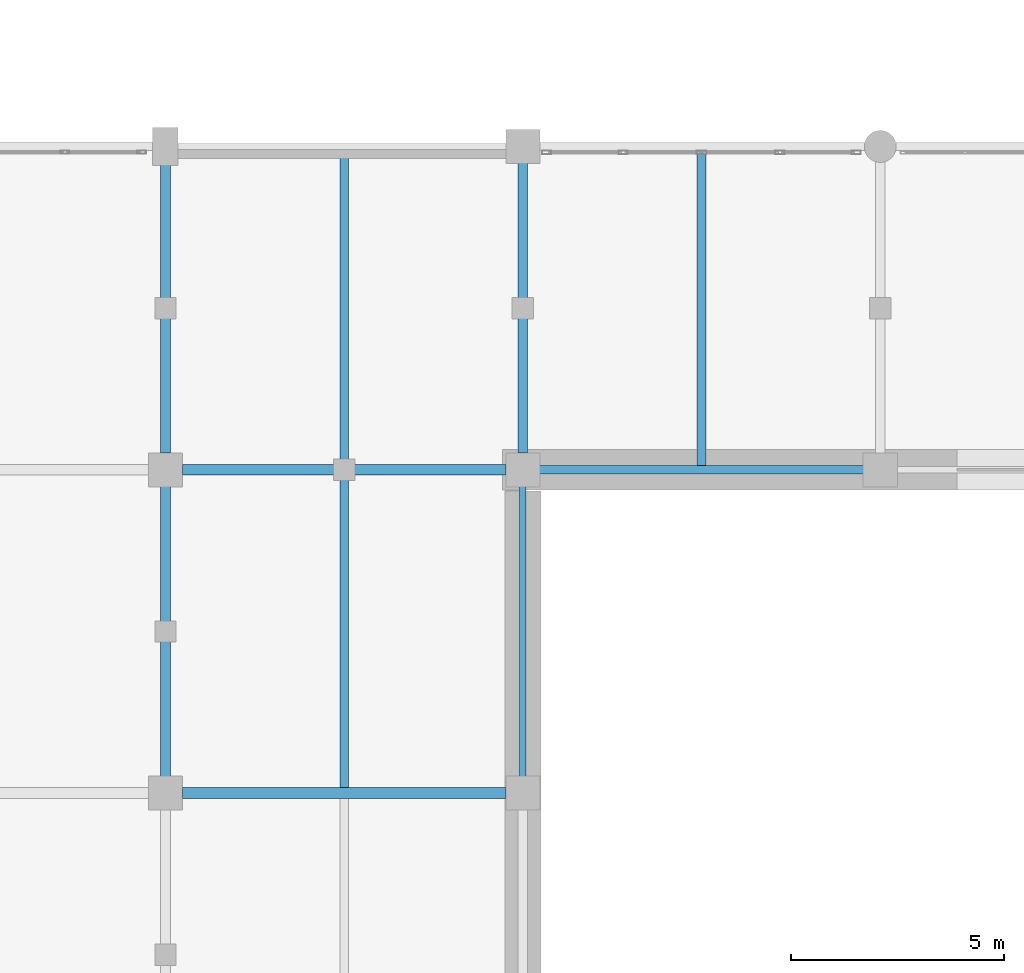
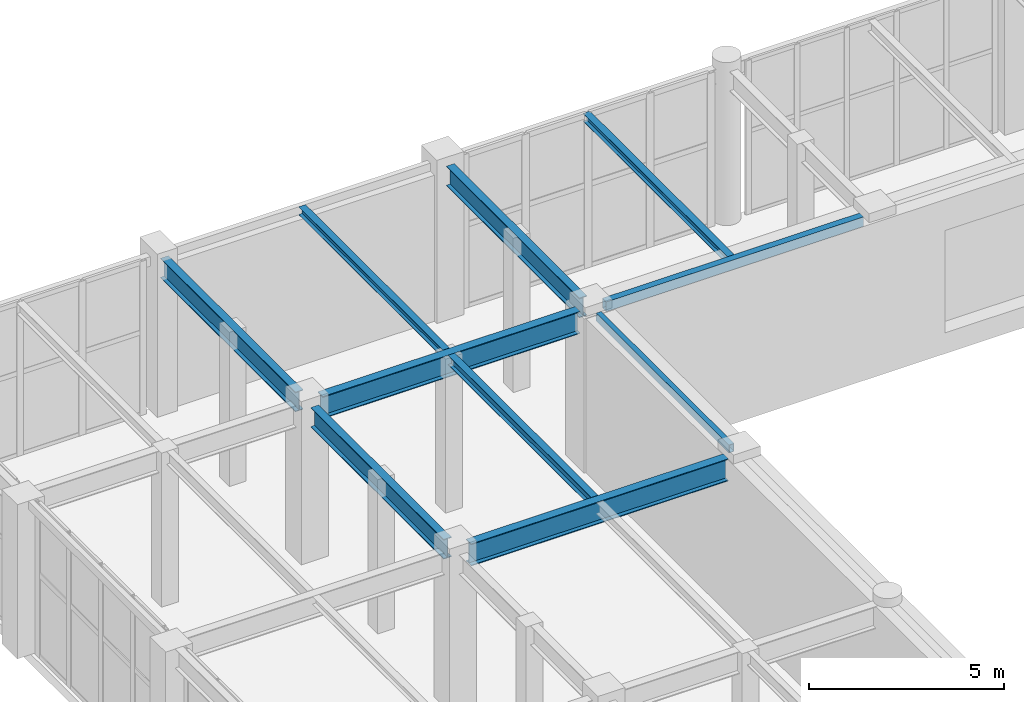
# One storey, part 60 of 128: 10 beams.
"""IFC4 building model written with IfcOpenShell, lengths in metres."""

from ifc_helpers import new_model, si_unit, direction, frame, origin, origin_2d, place, context, subcontext, project, spatial, hollow_rectangle, i_section, extrude, material, material_profile, profile_set, type_object, element, save


model = new_model("IFC4")

# Units and contexts
model_context = context("Model", 3, precision=1e-05, world=origin(), true_north=direction((0.0, 1.0)))
body_context = subcontext(model_context, "Body", "Model", "MODEL_VIEW")
ifc_project = project(units=[si_unit("LENGTHUNIT", "METRE"), si_unit("AREAUNIT", "SQUARE_METRE"), si_unit("VOLUMEUNIT", "CUBIC_METRE"), si_unit("PLANEANGLEUNIT", "RADIAN"), si_unit("MASSUNIT", "GRAM", prefix="KILO")], contexts=[model_context])

# Site, building, storey
site_placement = place(None, origin())
site = spatial("IfcSite", under=ifc_project, at=site_placement, CompositionType="ELEMENT")
building_placement = place(site_placement, origin())
building = spatial("IfcBuilding", under=site, at=building_placement, Name="Xicomal Pleat Aquarium", CompositionType="ELEMENT")
storey_placement = place(building_placement, frame((0.0, 0.0, 5.39990234375)))
storey = spatial("IfcBuildingStorey", under=building, at=storey_placement, Name="L02", CompositionType="ELEMENT", Elevation=5.39990234375)

# Beams
ifc_material_1 = material(Name="Structural steel A992 Gr 50", Category="steel")
ifc_material_profile_1 = material_profile(ifc_material_1, i_section(OverallWidth=0.201904296875, OverallDepth=0.2470703125, WebThickness=0.00732421875, FlangeThickness=0.010986328125, at=origin_2d()), Name="IR 250x49")
ifc_profile_set_1 = profile_set([ifc_material_profile_1], Name="Structural steel A992 Gr 50")
beam_type_1 = type_object("IfcBeamType", Name="BM-STL-IR250", PredefinedType="JOIST", material=ifc_profile_set_1)
beam_1_placement = place(storey_placement, frame((56.39990234375, 76.131103515625, 4.696533203125), z_axis=(0.0, 1.0, 0.0), x_axis=(-1.0, 0.0, 0.0)))
element("IfcBeam", 1, at=beam_1_placement, inside=storey, type_object=beam_type_1, Name="L02 framing beam FBJ-L02-07-L-1", PredefinedType="JOIST", context=body_context, shape_type="SweptSolid", body=[
    extrude(i_section(OverallWidth=0.201904296875, OverallDepth=0.2470703125, WebThickness=0.00732421875, FlangeThickness=0.010986328125, at=origin_2d()), origin(), (0.0, 0.0, 1.0), 7.390869140625),
])
beam_2_placement = place(storey_placement, frame((64.800048828125, 76.10302734375, 4.696533203125), z_axis=(0.0, 1.0, 0.0), x_axis=(-1.0, 0.0, 0.0)))
element("IfcBeam", 2, at=beam_2_placement, inside=storey, type_object=beam_type_1, Name="L02 framing beam FBJ-L02-08-L-1", PredefinedType="JOIST", context=body_context, shape_type="SweptSolid", body=[
    extrude(i_section(OverallWidth=0.201904296875, OverallDepth=0.2470703125, WebThickness=0.00732421875, FlangeThickness=0.010986328125, at=origin_2d()), origin(), (0.0, 0.0, 1.0), 7.39697265625),
])
ifc_material_2 = material(Name="Structural steel A992 Gr 50", Category="steel")
ifc_material_profile_2 = material_profile(ifc_material_2, i_section(OverallWidth=0.202880859375, OverallDepth=0.302978515625, WebThickness=0.007568359375, FlangeThickness=0.01318359375, at=origin_2d()), Name="IR 310x60")
ifc_profile_set_2 = profile_set([ifc_material_profile_2], Name="Structural steel A992 Gr 50")
beam_type_2 = type_object("IfcBeamType", Name="BM-STL-IR310", PredefinedType="JOIST", material=ifc_profile_set_2)
beam_3_placement = place(storey_placement, frame((56.39990234375, 68.531005859375, 4.668701171875), z_axis=(0.0, 1.0, 0.0), x_axis=(-1.0, 0.0, 0.0)))
element("IfcBeam", 3, at=beam_3_placement, inside=storey, type_object=beam_type_2, Name="L02 framing beam FBJ-L02-07-K-1", PredefinedType="JOIST", context=body_context, shape_type="SweptSolid", body=[
    extrude(i_section(OverallWidth=0.202880859375, OverallDepth=0.302978515625, WebThickness=0.007568359375, FlangeThickness=0.01318359375, at=origin_2d()), origin(), (0.0, 0.0, 1.0), 7.337890625),
])
ifc_material_3 = material(Name="Structural steel A992 Gr 50", Category="steel")
ifc_material_profile_3 = material_profile(ifc_material_3, i_section(OverallWidth=0.22998046875, OverallDepth=0.616943359375, WebThickness=0.01318359375, FlangeThickness=0.022216796875, at=origin_2d()), Name="IR 610x140")
ifc_profile_set_3 = profile_set([ifc_material_profile_3], Name="Structural steel A992 Gr 50")
beam_type_3 = type_object("IfcBeamType", Name="BM-STL-IR610", PredefinedType="BEAM", material=ifc_profile_set_3)
beam_4_placement = place(storey_placement, frame((52.199951171875, 68.794921875, 4.51171875), z_axis=(0.0, 1.0, 0.0), x_axis=(-1.0, 0.0, 0.0)))
element("IfcBeam", 4, at=beam_4_placement, inside=storey, type_object=beam_type_3, Name="L02 framing beam FGY-L02-07-K-L", PredefinedType="BEAM", context=body_context, shape_type="SweptSolid", body=[
    extrude(i_section(OverallWidth=0.22998046875, OverallDepth=0.616943359375, WebThickness=0.01318359375, FlangeThickness=0.022216796875, at=origin_2d()), origin(), (0.0, 0.0, 1.0), 6.81005859375),
])
beam_5_placement = place(storey_placement, frame((52.199951171875, 76.39501953125, 4.51171875), z_axis=(0.0, 1.0, 0.0), x_axis=(-1.0, 0.0, 0.0)))
element("IfcBeam", 5, at=beam_5_placement, inside=storey, type_object=beam_type_3, Name="L02 framing beam FGY-L02-07-L-M", PredefinedType="BEAM", context=body_context, shape_type="SweptSolid", body=[
    extrude(i_section(OverallWidth=0.22998046875, OverallDepth=0.616943359375, WebThickness=0.01318359375, FlangeThickness=0.022216796875, at=origin_2d()), origin(), (0.0, 0.0, 1.0), 6.909912109375),
])
beam_6_placement = place(storey_placement, frame((60.60009765625, 76.39501953125, 4.51171875), z_axis=(0.0, 1.0, 0.0), x_axis=(-1.0, 0.0, 0.0)))
element("IfcBeam", 6, at=beam_6_placement, inside=storey, type_object=beam_type_3, Name="L02 framing beam FGY-L02-08-L-M", PredefinedType="BEAM", context=body_context, shape_type="SweptSolid", body=[
    extrude(i_section(OverallWidth=0.22998046875, OverallDepth=0.616943359375, WebThickness=0.01318359375, FlangeThickness=0.022216796875, at=origin_2d()), origin(), (0.0, 0.0, 1.0), 6.81005859375),
])
ifc_material_4 = material(Name="Structural steel A992 Gr 50", Category="steel")
ifc_material_profile_4 = material_profile(ifc_material_4, i_section(OverallWidth=0.256103515625, OverallDepth=0.693115234375, WebThickness=0.014404296875, FlangeThickness=0.023681640625, at=origin_2d()), Name="IR 690x170")
ifc_profile_set_4 = profile_set([ifc_material_profile_4], Name="Structural steel A992 Gr 50")
beam_type_4 = type_object("IfcBeamType", Name="BM-STL-IR690", PredefinedType="BEAM", material=ifc_profile_set_4)
for number, where, z_axis, x_axis, name in (
    (7, (52.594970703125, 68.39990234375, 4.4736328125), (1.0, 0.0, 0.0), (0.0, 1.0, 0.0), "L02 framing beam FGX-L02-07-08-K"),
    (8, (52.594970703125, 76.0, 4.4736328125), (1.0, 0.0, 0.0), (0.0, 1.0, 0.0), "L02 framing beam FGX-L02-07-08-L"),
):
    element("IfcBeam", number, at=place(storey_placement, frame(where, z_axis=z_axis, x_axis=x_axis)), inside=storey, type_object=beam_type_4, Name=name, PredefinedType="BEAM", context=body_context, shape_type="SweptSolid", body=[
        extrude(i_section(OverallWidth=0.256103515625, OverallDepth=0.693115234375, WebThickness=0.014404296875, FlangeThickness=0.023681640625, at=origin_2d()), origin(), (0.0, 0.0, 1.0), 7.610107421875),
    ])
ifc_material_5 = material(Name="Structural steel A500 Gr C", Category="steel")
ifc_material_profile_5 = material_profile(ifc_material_5, hollow_rectangle(XDim=0.14990234375, YDim=0.25, WallThickness=0.010009765625, at=origin_2d()), Name="OR 250x150x10")
ifc_profile_set_5 = profile_set([ifc_material_profile_5], Name="Structural steel A500 Gr C")
beam_type_5 = type_object("IfcBeamType", Name="BM-STL-OR250", PredefinedType="SPANDREL", material=ifc_profile_set_5)
beam_7_placement = place(storey_placement, frame((60.60009765625, 68.794921875, 4.695068359375), z_axis=(0.0, 1.0, 0.0), x_axis=(-1.0, 0.0, 0.0)))
element("IfcBeam", 9, at=beam_7_placement, inside=storey, type_object=beam_type_5, Name="L02 framing beam FGY-L02-08-K-L", PredefinedType="SPANDREL", context=body_context, shape_type="SweptSolid", body=[
    extrude(hollow_rectangle(XDim=0.14990234375, YDim=0.25, WallThickness=0.010009765625, at=origin_2d()), origin(), (0.0, 0.0, 1.0), 6.81005859375),
])
ifc_material_6 = material(Name="Structural steel A500 Gr C", Category="steel")
ifc_material_profile_6 = material_profile(ifc_material_6, hollow_rectangle(XDim=0.199951171875, YDim=0.300048828125, WallThickness=0.011962890625, at=origin_2d()), Name="OR 300x200x12")
ifc_profile_set_6 = profile_set([ifc_material_profile_6], Name="Structural steel A500 Gr C")
beam_type_6 = type_object("IfcBeamType", Name="BM-STL-OR300", PredefinedType="SPANDREL", material=ifc_profile_set_6)
beam_8_placement = place(storey_placement, frame((60.9951171875, 76.0, 4.670166015625), z_axis=(1.0, 0.0, 0.0), x_axis=(0.0, 1.0, 0.0)))
element("IfcBeam", 10, at=beam_8_placement, inside=storey, type_object=beam_type_6, Name="L02 framing beam FGX-L02-08-09-L", PredefinedType="SPANDREL", context=body_context, shape_type="SweptSolid", body=[
    extrude(hollow_rectangle(XDim=0.199951171875, YDim=0.300048828125, WallThickness=0.011962890625, at=origin_2d()), origin(), (0.0, 0.0, 1.0), 7.60986328125),
])

save(model, "model.ifc")
